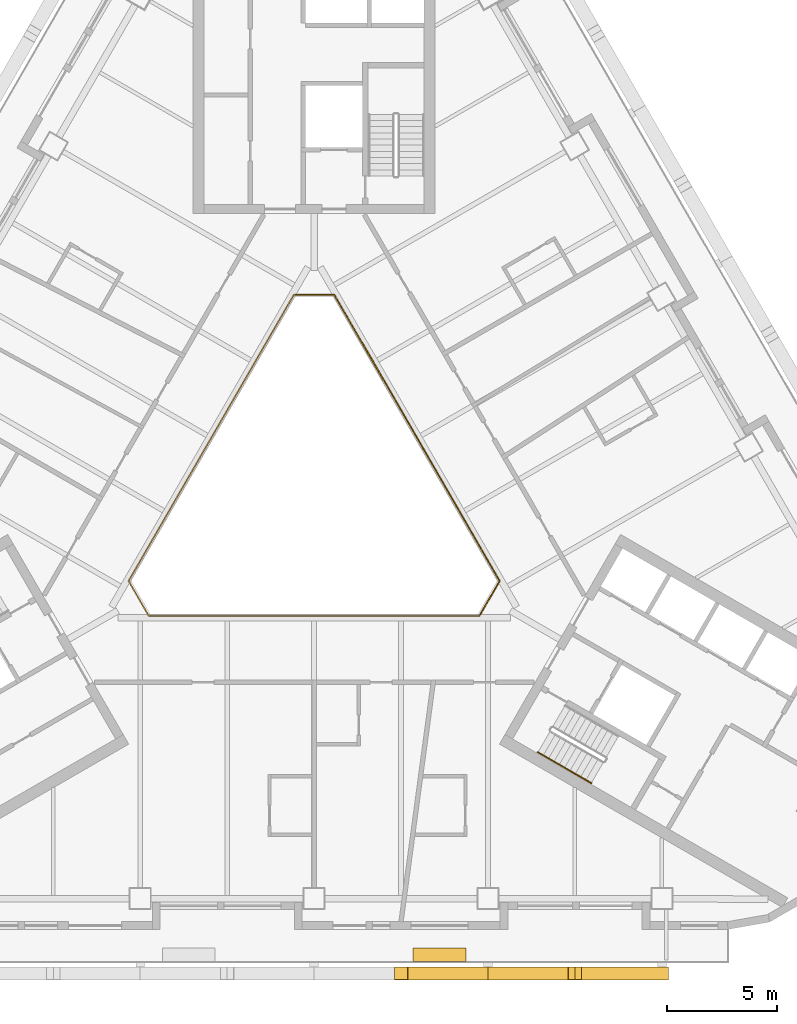
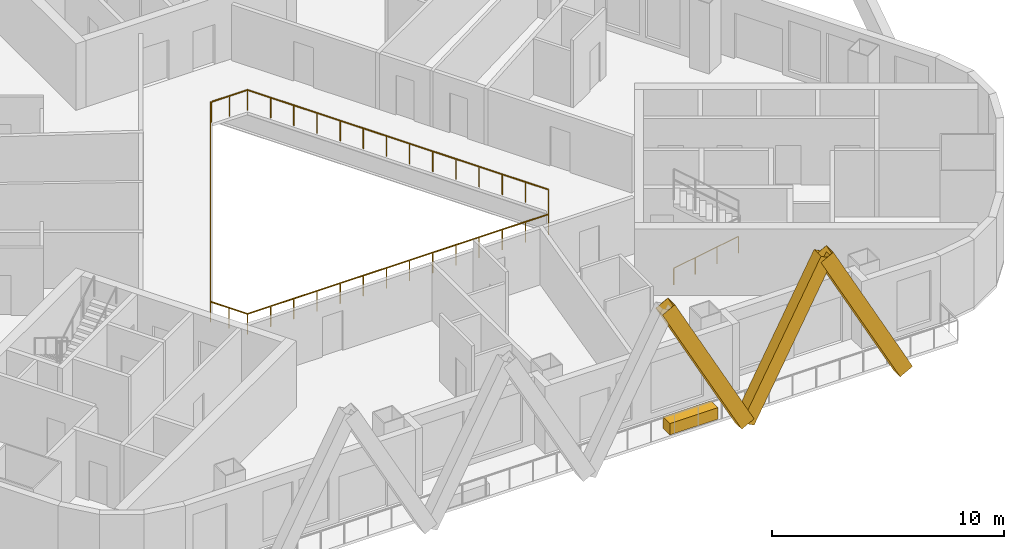
# One storey, part 10 of 13: 3 railings, 3 shading devices, 1 covering.
"""IFC4 building model written with IfcOpenShell, lengths in metres."""

from ifc_helpers import new_model, si_unit, direction, frame, origin, origin_2d, place, context, subcontext, project, spatial, rectangle, hollow_rectangle, circle, extrude, material, material_profile, profile_set, type_object, element, save


model = new_model("IFC4")

# Units and contexts
model_context = context("Model", 3, precision=1e-05, world=origin(), true_north=direction((0.0, 1.0)))
body_context = subcontext(model_context, "Body", "Model", "MODEL_VIEW")
ifc_project = project(units=[si_unit("LENGTHUNIT", "METRE"), si_unit("AREAUNIT", "SQUARE_METRE"), si_unit("VOLUMEUNIT", "CUBIC_METRE"), si_unit("PLANEANGLEUNIT", "RADIAN"), si_unit("MASSUNIT", "GRAM", prefix="KILO")], contexts=[model_context])

# Site, building, storey
site_placement = place(None, origin())
site = spatial("IfcSite", under=ifc_project, at=site_placement, CompositionType="ELEMENT")
building_placement = place(site_placement, origin())
building = spatial("IfcBuilding", under=site, at=building_placement, Name="Apuvela Tower Hotel", CompositionType="ELEMENT")
storey_placement = place(building_placement, frame((0.0, 0.0, 61.300048828125)))
storey = spatial("IfcBuildingStorey", under=building, at=storey_placement, Name="L12", CompositionType="ELEMENT", Elevation=61.300048828125)

# Railing
ifc_material_1 = material(Name="Stainless steel 316 handrail", Category="steel")
railing_type_1 = type_object("IfcRailingType", Name="COR-HANDRAIL-900", PredefinedType="HANDRAIL", material=ifc_material_1)
railing_1_placement = place(storey_placement, frame((10.1689453125, -11.5869140625, 0.168212890625)))
element("IfcRailing", 1, at=railing_1_placement, inside=storey, type_object=railing_type_1, Name="L12 ST3 stair handrail 1", PredefinedType="HANDRAIL", context=body_context, shape_type="SweptSolid", body=[
    extrude(circle(Radius=0.02392578125, at=origin_2d()), frame((0.0, 0.0, 0.8759765625), z_axis=(0.74241905619, -0.428617687091, 0.514879426), x_axis=(0.49998411664, 0.866034573852, 0.0)), (0.0, 0.0, 1.0), 3.26611328125),
    extrude(rectangle(XDim=0.0419921875, YDim=0.0419921875, at=origin_2d()), origin(), (0.0, 0.0, 1.0), 0.851806640625),
    extrude(rectangle(XDim=0.0419921875, YDim=0.0419921875, at=origin_2d()), frame((0.808349609375, -0.466552734375, 0.560546875)), (0.0, 0.0, 1.0), 0.851806640625),
    extrude(rectangle(XDim=0.0419921875, YDim=0.0419921875, at=origin_2d()), frame((1.616455078125, -0.933349609375, 1.12109375)), (0.0, 0.0, 1.0), 0.851806640625),
    extrude(rectangle(XDim=0.0419921875, YDim=0.0419921875, at=origin_2d()), frame((2.4248046875, -1.39990234375, 1.681640625)), (0.0, 0.0, 1.0), 0.851806640625),
])

# Shading devices
ifc_material_2 = material(Name="Aluminium 6063-T6, black anodised", Category="aluminium")
ifc_material_profile = material_profile(ifc_material_2, hollow_rectangle(XDim=0.60009765625, YDim=0.699951171875, WallThickness=0.011962890625, at=origin_2d()), Name="AL BOX 700x600x12")
ifc_profile_set = profile_set([ifc_material_profile], Name="Aluminium 6063-T6, black anodised")
shading_device_type = type_object("IfcShadingDeviceType", Name="ENV-FIN-700x600", PredefinedType="USERDEFINED", material=ifc_profile_set)
for number, where, z_axis, x_axis, name in (
    (2, (7.89990234375, -21.6298828125, -0.10009765625), (-0.470885802113, 0.0, 0.882194174413), (0.0, -1.0, 0.0), "Lattice fin S22"),
    (3, (7.89990234375, -21.6298828125, -0.10009765625), (0.470908452903, 0.0, 0.882182083804), (0.0, 1.0, 0.0), "Lattice fin S23"),
    (4, (15.800048828125, -21.6298828125, -0.10009765625), (-0.470885802113, 0.0, 0.882194174413), (0.0, -1.0, 0.0), "Lattice fin S24"),
):
    element("IfcShadingDevice", number, at=place(storey_placement, frame(where, z_axis=z_axis, x_axis=x_axis)), inside=storey, type_object=shading_device_type, Name=name, ObjectType="FIN", PredefinedType="USERDEFINED", context=body_context, shape_type="SweptSolid", body=[
        extrude(hollow_rectangle(XDim=0.60009765625, YDim=0.699951171875, WallThickness=0.011962890625, at=origin_2d()), origin(), (0.0, 0.0, 1.0), 8.388427734375),
    ])

# Railings
ifc_material_3 = material(Name="Stainless steel 316 rail with laminated glass infill", Category="steel")
railing_type_2 = type_object("IfcRailingType", Name="ENV-GUARD-1100", PredefinedType="GUARDRAIL", material=ifc_material_3)
railing_2_placement = place(storey_placement, frame((-0.923828125, 9.199951171875, 0.0)))
element("IfcRailing", 5, at=railing_2_placement, inside=storey, type_object=railing_type_2, Name="Atrium void guard A L12", PredefinedType="GUARDRAIL", context=body_context, shape_type="SweptSolid", body=[
    extrude(rectangle(XDim=0.050048828125, YDim=0.050048828125, at=origin_2d()), frame((0.0, 0.0, 1.0751953125), z_axis=(-0.499990886379, -0.866030665472, 0.0), x_axis=(0.866030665472, -0.499990886379, 0.0)), (0.0, 0.0, 1.0), 15.010986328125),
    extrude(rectangle(XDim=0.050048828125, YDim=0.050048828125, at=origin_2d()), frame((-7.50537109375, -13.0, 1.0751953125), z_axis=(0.499962699187, -0.866046938348, 0.0), x_axis=(0.866046938348, 0.499962699187, 0.0)), (0.0, 0.0, 1.0), 1.847412109375),
    extrude(rectangle(XDim=0.050048828125, YDim=0.050048828125, at=origin_2d()), frame((-6.581787109375, -14.599853515625, 1.0751953125), z_axis=(1.0, 0.0, 0.0), x_axis=(0.0, 1.0, 0.0)), (0.0, 0.0, 1.0), 15.01123046875),
    extrude(rectangle(XDim=0.0400390625, YDim=0.0400390625, at=origin_2d()), origin(), (0.0, 0.0, 1.0), 1.050048828125),
    extrude(rectangle(XDim=0.0400390625, YDim=0.0400390625, at=origin_2d()), frame((-0.577392578125, -1.0, 0.0)), (0.0, 0.0, 1.0), 1.050048828125),
    extrude(rectangle(XDim=0.0400390625, YDim=0.0400390625, at=origin_2d()), frame((-1.15478515625, -2.0, 0.0)), (0.0, 0.0, 1.0), 1.050048828125),
    extrude(rectangle(XDim=0.0400390625, YDim=0.0400390625, at=origin_2d()), frame((-1.73193359375, -3.0, 0.0)), (0.0, 0.0, 1.0), 1.050048828125),
    extrude(rectangle(XDim=0.0400390625, YDim=0.0400390625, at=origin_2d()), frame((-2.309326171875, -4.0, 0.0)), (0.0, 0.0, 1.0), 1.050048828125),
    extrude(rectangle(XDim=0.0400390625, YDim=0.0400390625, at=origin_2d()), frame((-2.88671875, -5.0, 0.0)), (0.0, 0.0, 1.0), 1.050048828125),
    extrude(rectangle(XDim=0.0400390625, YDim=0.0400390625, at=origin_2d()), frame((-3.464111328125, -6.0, 0.0)), (0.0, 0.0, 1.0), 1.050048828125),
    extrude(rectangle(XDim=0.0400390625, YDim=0.0400390625, at=origin_2d()), frame((-4.041259765625, -7.0, 0.0)), (0.0, 0.0, 1.0), 1.050048828125),
    extrude(rectangle(XDim=0.0400390625, YDim=0.0400390625, at=origin_2d()), frame((-4.61865234375, -8.0, 0.0)), (0.0, 0.0, 1.0), 1.050048828125),
    extrude(rectangle(XDim=0.0400390625, YDim=0.0400390625, at=origin_2d()), frame((-5.196044921875, -9.0, 0.0)), (0.0, 0.0, 1.0), 1.050048828125),
    extrude(rectangle(XDim=0.0400390625, YDim=0.0400390625, at=origin_2d()), frame((-5.7734375, -10.0, 0.0)), (0.0, 0.0, 1.0), 1.050048828125),
    extrude(rectangle(XDim=0.0400390625, YDim=0.0400390625, at=origin_2d()), frame((-6.3505859375, -11.0, 0.0)), (0.0, 0.0, 1.0), 1.050048828125),
    extrude(rectangle(XDim=0.0400390625, YDim=0.0400390625, at=origin_2d()), frame((-6.927978515625, -12.0, 0.0)), (0.0, 0.0, 1.0), 1.050048828125),
    extrude(rectangle(XDim=0.0400390625, YDim=0.0400390625, at=origin_2d()), frame((-7.50537109375, -13.0, 0.0)), (0.0, 0.0, 1.0), 1.050048828125),
    extrude(rectangle(XDim=0.0400390625, YDim=0.0400390625, at=origin_2d()), frame((-7.04345703125, -13.7998046875, 0.0)), (0.0, 0.0, 1.0), 1.050048828125),
    extrude(rectangle(XDim=0.0400390625, YDim=0.0400390625, at=origin_2d()), frame((-6.581787109375, -14.599853515625, 0.0)), (0.0, 0.0, 1.0), 1.050048828125),
    extrude(rectangle(XDim=0.0400390625, YDim=0.0400390625, at=origin_2d()), frame((-5.427001953125, -14.599853515625, 0.0)), (0.0, 0.0, 1.0), 1.050048828125),
    extrude(rectangle(XDim=0.0400390625, YDim=0.0400390625, at=origin_2d()), frame((-4.2724609375, -14.599853515625, 0.0)), (0.0, 0.0, 1.0), 1.050048828125),
    extrude(rectangle(XDim=0.0400390625, YDim=0.0400390625, at=origin_2d()), frame((-3.11767578125, -14.599853515625, 0.0)), (0.0, 0.0, 1.0), 1.050048828125),
    extrude(rectangle(XDim=0.0400390625, YDim=0.0400390625, at=origin_2d()), frame((-1.962890625, -14.599853515625, 0.0)), (0.0, 0.0, 1.0), 1.050048828125),
    extrude(rectangle(XDim=0.0400390625, YDim=0.0400390625, at=origin_2d()), frame((-0.808349609375, -14.599853515625, 0.0)), (0.0, 0.0, 1.0), 1.050048828125),
    extrude(rectangle(XDim=0.0400390625, YDim=0.0400390625, at=origin_2d()), frame((0.346435546875, -14.599853515625, 0.0)), (0.0, 0.0, 1.0), 1.050048828125),
    extrude(rectangle(XDim=0.0400390625, YDim=0.0400390625, at=origin_2d()), frame((1.501220703125, -14.599853515625, 0.0)), (0.0, 0.0, 1.0), 1.050048828125),
    extrude(rectangle(XDim=0.0400390625, YDim=0.0400390625, at=origin_2d()), frame((2.656005859375, -14.599853515625, 0.0)), (0.0, 0.0, 1.0), 1.050048828125),
    extrude(rectangle(XDim=0.0400390625, YDim=0.0400390625, at=origin_2d()), frame((3.810546875, -14.599853515625, 0.0)), (0.0, 0.0, 1.0), 1.050048828125),
    extrude(rectangle(XDim=0.0400390625, YDim=0.0400390625, at=origin_2d()), frame((4.96533203125, -14.599853515625, 0.0)), (0.0, 0.0, 1.0), 1.050048828125),
    extrude(rectangle(XDim=0.0400390625, YDim=0.0400390625, at=origin_2d()), frame((6.1201171875, -14.599853515625, 0.0)), (0.0, 0.0, 1.0), 1.050048828125),
    extrude(rectangle(XDim=0.0400390625, YDim=0.0400390625, at=origin_2d()), frame((7.274658203125, -14.599853515625, 0.0)), (0.0, 0.0, 1.0), 1.050048828125),
    extrude(rectangle(XDim=0.0400390625, YDim=0.0400390625, at=origin_2d()), frame((8.429443359375, -14.599853515625, 0.0)), (0.0, 0.0, 1.0), 1.050048828125),
])
railing_3_placement = place(storey_placement, frame((7.53564453125, -5.347900390625, 0.0)))
element("IfcRailing", 6, at=railing_3_placement, inside=storey, type_object=railing_type_2, Name="Atrium void guard B L12", PredefinedType="GUARDRAIL", context=body_context, shape_type="SweptSolid", body=[
    extrude(rectangle(XDim=0.050048828125, YDim=0.050048828125, at=origin_2d()), frame((0.0, 0.0, 1.0751953125), z_axis=(0.499958946799, 0.866049104564, 0.0), x_axis=(-0.866049104564, 0.499958946799, 0.0)), (0.0, 0.0, 1.0), 1.787353515625),
    extrude(rectangle(XDim=0.050048828125, YDim=0.050048828125, at=origin_2d()), frame((0.8935546875, 1.5478515625, 1.0751953125), z_axis=(-0.499990886379, 0.866030665472, 0.0), x_axis=(-0.866030665472, -0.499990886379, 0.0)), (0.0, 0.0, 1.0), 15.010986328125),
    extrude(rectangle(XDim=0.050048828125, YDim=0.050048828125, at=origin_2d()), frame((-6.61181640625, 14.5478515625, 1.0751953125), z_axis=(-1.0, 0.0, 0.0), x_axis=(0.0, -1.0, 0.0)), (0.0, 0.0, 1.0), 1.78759765625),
    extrude(rectangle(XDim=0.0400390625, YDim=0.0400390625, at=origin_2d()), origin(), (0.0, 0.0, 1.0), 1.050048828125),
    extrude(rectangle(XDim=0.0400390625, YDim=0.0400390625, at=origin_2d()), frame((0.44677734375, 0.77392578125, 0.0)), (0.0, 0.0, 1.0), 1.050048828125),
    extrude(rectangle(XDim=0.0400390625, YDim=0.0400390625, at=origin_2d()), frame((0.8935546875, 1.5478515625, 0.0)), (0.0, 0.0, 1.0), 1.050048828125),
    extrude(rectangle(XDim=0.0400390625, YDim=0.0400390625, at=origin_2d()), frame((0.316162109375, 2.5478515625, 0.0)), (0.0, 0.0, 1.0), 1.050048828125),
    extrude(rectangle(XDim=0.0400390625, YDim=0.0400390625, at=origin_2d()), frame((-0.26123046875, 3.5478515625, 0.0)), (0.0, 0.0, 1.0), 1.050048828125),
    extrude(rectangle(XDim=0.0400390625, YDim=0.0400390625, at=origin_2d()), frame((-0.83837890625, 4.5478515625, 0.0)), (0.0, 0.0, 1.0), 1.050048828125),
    extrude(rectangle(XDim=0.0400390625, YDim=0.0400390625, at=origin_2d()), frame((-1.415771484375, 5.5478515625, 0.0)), (0.0, 0.0, 1.0), 1.050048828125),
    extrude(rectangle(XDim=0.0400390625, YDim=0.0400390625, at=origin_2d()), frame((-1.9931640625, 6.5478515625, 0.0)), (0.0, 0.0, 1.0), 1.050048828125),
    extrude(rectangle(XDim=0.0400390625, YDim=0.0400390625, at=origin_2d()), frame((-2.570556640625, 7.5478515625, 0.0)), (0.0, 0.0, 1.0), 1.050048828125),
    extrude(rectangle(XDim=0.0400390625, YDim=0.0400390625, at=origin_2d()), frame((-3.147705078125, 8.5478515625, 0.0)), (0.0, 0.0, 1.0), 1.050048828125),
    extrude(rectangle(XDim=0.0400390625, YDim=0.0400390625, at=origin_2d()), frame((-3.72509765625, 9.5478515625, 0.0)), (0.0, 0.0, 1.0), 1.050048828125),
    extrude(rectangle(XDim=0.0400390625, YDim=0.0400390625, at=origin_2d()), frame((-4.302490234375, 10.5478515625, 0.0)), (0.0, 0.0, 1.0), 1.050048828125),
    extrude(rectangle(XDim=0.0400390625, YDim=0.0400390625, at=origin_2d()), frame((-4.8798828125, 11.5478515625, 0.0)), (0.0, 0.0, 1.0), 1.050048828125),
    extrude(rectangle(XDim=0.0400390625, YDim=0.0400390625, at=origin_2d()), frame((-5.45703125, 12.5478515625, 0.0)), (0.0, 0.0, 1.0), 1.050048828125),
    extrude(rectangle(XDim=0.0400390625, YDim=0.0400390625, at=origin_2d()), frame((-6.034423828125, 13.5478515625, 0.0)), (0.0, 0.0, 1.0), 1.050048828125),
    extrude(rectangle(XDim=0.0400390625, YDim=0.0400390625, at=origin_2d()), frame((-6.61181640625, 14.5478515625, 0.0)), (0.0, 0.0, 1.0), 1.050048828125),
    extrude(rectangle(XDim=0.0400390625, YDim=0.0400390625, at=origin_2d()), frame((-7.505615234375, 14.5478515625, 0.0)), (0.0, 0.0, 1.0), 1.050048828125),
    extrude(rectangle(XDim=0.0400390625, YDim=0.0400390625, at=origin_2d()), frame((-8.3994140625, 14.5478515625, 0.0)), (0.0, 0.0, 1.0), 1.050048828125),
])

# Covering
ifc_material_4 = material(Name="Planting substrate and soil, planted")
covering_type = type_object("IfcCoveringType", Name="ENV-PLANTER-2400x600", PredefinedType="USERDEFINED", material=ifc_material_4)
covering_placement = place(storey_placement, frame((5.70068359375, -20.780029296875, 0.0), z_axis=(0.0, 0.0, 1.0), x_axis=(1.0, 0.0, 0.0)))
element("IfcCovering", 7, at=covering_placement, inside=storey, type_object=covering_type, Name="Planter S2", ObjectType="PLANTER", PredefinedType="USERDEFINED", context=body_context, shape_type="SweptSolid", body=[
    extrude(rectangle(XDim=2.39990234375, YDim=0.60009765625, at=origin_2d()), origin(), (0.0, 0.0, 1.0), 0.60009765625),
])

save(model, "model.ifc")
